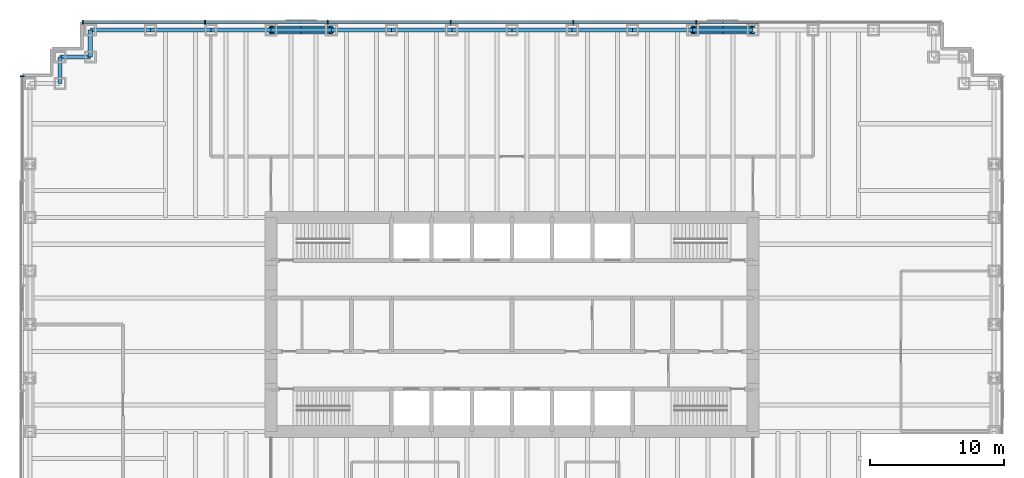
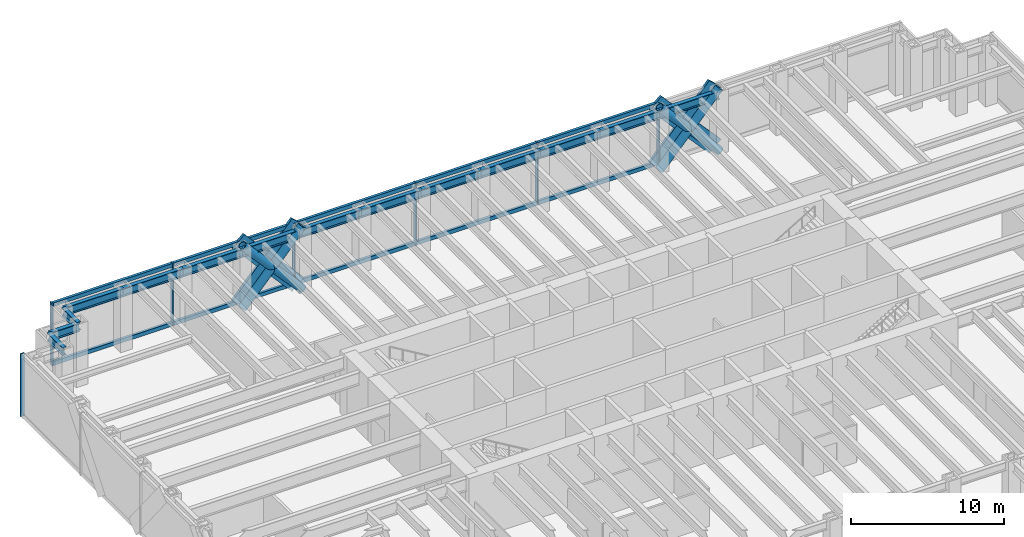
# One storey, part 9 of 17: 25 members, 14 beams, 2 elements without a shape of their own.
"""IFC4 building model written with IfcOpenShell, lengths in metres."""

from ifc_helpers import new_model, si_unit, direction, frame, origin, origin_2d, place, context, subcontext, project, spatial, rectangle, hollow_circle, i_section, extrude, material, material_profile, profile_set, type_object, element, aggregate, save


model = new_model("IFC4")

# Units and contexts
model_context = context("Model", 3, precision=1e-05, world=origin(), true_north=direction((0.0, 1.0)))
body_context = subcontext(model_context, "Body", "Model", "MODEL_VIEW")
ifc_project = project(units=[si_unit("LENGTHUNIT", "METRE"), si_unit("AREAUNIT", "SQUARE_METRE"), si_unit("VOLUMEUNIT", "CUBIC_METRE"), si_unit("PLANEANGLEUNIT", "RADIAN"), si_unit("MASSUNIT", "GRAM", prefix="KILO")], contexts=[model_context])

# Site, building, storey
site_placement = place(None, origin())
site = spatial("IfcSite", under=ifc_project, at=site_placement, CompositionType="ELEMENT")
building_placement = place(site_placement, origin())
building = spatial("IfcBuilding", under=site, at=building_placement, Name="Rheinbord Bourse Tower", CompositionType="ELEMENT")
storey_placement = place(building_placement, frame((0.0, 0.0, 13.0)))
storey = spatial("IfcBuildingStorey", under=building, at=storey_placement, Name="L02", CompositionType="ELEMENT", Elevation=13.0)

# Curtain wall, members
ifc_material_1 = material(Name="Dark glass and black aluminium", Category="aluminium")
curtain_wall_type = type_object("IfcCurtainWallType", Name="CW4 DARK GLASS CURTAIN WALL", PredefinedType="USERDEFINED", material=ifc_material_1)
curtain_wall_1_placement = place(storey_placement, origin())
curtain_wall_1 = element("IfcCurtainWall", 1, at=curtain_wall_1_placement, inside=storey, type_object=curtain_wall_type, Name="Curtain wall CW4 N L02", ObjectType="UNITISED CURTAIN WALL", PredefinedType="USERDEFINED")
ifc_material_2 = material(Name="Black anodised aluminium", Category="aluminium")
ifc_material_profile_1 = material_profile(ifc_material_2, rectangle(XDim=0.199951171875, YDim=1.2099609375, at=origin_2d()), Name="CW4 DIAGONAL MULLION 1210x200")
ifc_profile_set_1 = profile_set([ifc_material_profile_1], Name="Black anodised aluminium")
member_type_1 = type_object("IfcMemberType", Name="CW4 BLACK DIAGONAL MULLION", PredefinedType="USERDEFINED", material=ifc_profile_set_1)
member_1_placement = place(storey_placement, frame((18.0, 46.60009765625, 0.0), z_axis=(0.668964731622, 0.0, 0.743294146247), x_axis=(0.0, 1.0, 0.0)))
member_1 = element("IfcMember", 2, at=member_1_placement, type_object=member_type_1, Name="CW4 diagonal mullion a", ObjectType="DIAGONAL MULLION", PredefinedType="USERDEFINED", context=body_context, shape_type="SweptSolid", body=[
    extrude(rectangle(XDim=0.199951171875, YDim=1.2099609375, at=origin_2d()), origin(), (0.0, 0.0, 1.0), 6.726806640625),
])
member_2_placement = place(storey_placement, frame((54.0, 46.60009765625, 0.0), z_axis=(-0.668964731622, 0.0, 0.743294146247), x_axis=(0.0, -1.0, 0.0)))
member_2 = element("IfcMember", 3, at=member_2_placement, type_object=member_type_1, Name="CW4 diagonal mullion b", ObjectType="DIAGONAL MULLION", PredefinedType="USERDEFINED", context=body_context, shape_type="SweptSolid", body=[
    extrude(rectangle(XDim=0.199951171875, YDim=1.2099609375, at=origin_2d()), origin(), (0.0, 0.0, 1.0), 6.726806640625),
])
member_3_placement = place(storey_placement, frame((49.5, 46.60009765625, 0.0), z_axis=(0.668964731622, 0.0, 0.743294146247), x_axis=(0.0, 1.0, 0.0)))
member_3 = element("IfcMember", 4, at=member_3_placement, type_object=member_type_1, Name="CW4 diagonal mullion c", ObjectType="DIAGONAL MULLION", PredefinedType="USERDEFINED", context=body_context, shape_type="SweptSolid", body=[
    extrude(rectangle(XDim=0.199951171875, YDim=1.2099609375, at=origin_2d()), origin(), (0.0, 0.0, 1.0), 6.726806640625),
])
member_4_placement = place(storey_placement, frame((22.5, 46.60009765625, 0.0), z_axis=(-0.668964731622, 0.0, 0.743294146247), x_axis=(0.0, -1.0, 0.0)))
member_4 = element("IfcMember", 5, at=member_4_placement, type_object=member_type_1, Name="CW4 diagonal mullion d", ObjectType="DIAGONAL MULLION", PredefinedType="USERDEFINED", context=body_context, shape_type="SweptSolid", body=[
    extrude(rectangle(XDim=0.199951171875, YDim=1.2099609375, at=origin_2d()), origin(), (0.0, 0.0, 1.0), 6.726806640625),
])
ifc_material_3 = material(Name="Black anodised aluminium", Category="aluminium")
ifc_material_profile_2 = material_profile(ifc_material_3, rectangle(XDim=0.300048828125, YDim=0.090087890625, at=origin_2d()), Name="CW4 MULLION 90x300")
ifc_profile_set_2 = profile_set([ifc_material_profile_2], Name="Black anodised aluminium")
member_type_2 = type_object("IfcMemberType", Name="CW4 BLACK MULLION", PredefinedType="MULLION", material=ifc_profile_set_2)
member_5_placement = place(storey_placement, frame((49.757080078125, 46.60009765625, 0.0), z_axis=(0.0, 0.0, 1.0), x_axis=(0.0, -1.0, 0.0)))
member_5 = element("IfcMember", 6, at=member_5_placement, type_object=member_type_2, Name="CW4 mullion 3", PredefinedType="MULLION", context=body_context, shape_type="SweptSolid", body=[
    extrude(rectangle(XDim=0.300048828125, YDim=0.090087890625, at=origin_2d()), origin(), (0.0, 0.0, 1.0), 5.0),
])
member_6_placement = place(storey_placement, frame((40.585693359375, 46.60009765625, 0.0), z_axis=(0.0, 0.0, 1.0), x_axis=(0.0, -1.0, 0.0)))
member_6 = element("IfcMember", 7, at=member_6_placement, type_object=member_type_2, Name="CW4 mullion 4", PredefinedType="MULLION", context=body_context, shape_type="SweptSolid", body=[
    extrude(rectangle(XDim=0.300048828125, YDim=0.090087890625, at=origin_2d()), origin(), (0.0, 0.0, 1.0), 5.0),
])
member_7_placement = place(storey_placement, frame((31.414306640625, 46.60009765625, 0.0), z_axis=(0.0, 0.0, 1.0), x_axis=(0.0, -1.0, 0.0)))
member_7 = element("IfcMember", 8, at=member_7_placement, type_object=member_type_2, Name="CW4 mullion 5", PredefinedType="MULLION", context=body_context, shape_type="SweptSolid", body=[
    extrude(rectangle(XDim=0.300048828125, YDim=0.090087890625, at=origin_2d()), origin(), (0.0, 0.0, 1.0), 5.0),
])
member_8_placement = place(storey_placement, frame((22.242919921875, 46.60009765625, 0.0), z_axis=(0.0, 0.0, 1.0), x_axis=(0.0, -1.0, 0.0)))
member_8 = element("IfcMember", 9, at=member_8_placement, type_object=member_type_2, Name="CW4 mullion 6", PredefinedType="MULLION", context=body_context, shape_type="SweptSolid", body=[
    extrude(rectangle(XDim=0.300048828125, YDim=0.090087890625, at=origin_2d()), origin(), (0.0, 0.0, 1.0), 5.0),
])
member_9_placement = place(storey_placement, frame((13.071533203125, 46.60009765625, 0.0), z_axis=(0.0, 0.0, 1.0), x_axis=(0.0, -1.0, 0.0)))
member_9 = element("IfcMember", 10, at=member_9_placement, type_object=member_type_2, Name="CW4 mullion 7", PredefinedType="MULLION", context=body_context, shape_type="SweptSolid", body=[
    extrude(rectangle(XDim=0.300048828125, YDim=0.090087890625, at=origin_2d()), origin(), (0.0, 0.0, 1.0), 5.0),
])
member_10_placement = place(storey_placement, frame((3.945068359375, 46.60009765625, 0.0), z_axis=(0.0, 0.0, 1.0), x_axis=(0.0, -1.0, 0.0)))
member_10 = element("IfcMember", 11, at=member_10_placement, type_object=member_type_2, Name="CW4 mullion 8", PredefinedType="MULLION", context=body_context, shape_type="SweptSolid", body=[
    extrude(rectangle(XDim=0.300048828125, YDim=0.090087890625, at=origin_2d()), origin(), (0.0, 0.0, 1.0), 5.0),
])

# Curtain wall, member
curtain_wall_2_placement = place(storey_placement, origin())
curtain_wall_2 = element("IfcCurtainWall", 12, at=curtain_wall_2_placement, inside=storey, type_object=curtain_wall_type, Name="Curtain wall CW4 W L02", ObjectType="UNITISED CURTAIN WALL", PredefinedType="USERDEFINED")
member_11_placement = place(storey_placement, frame((-0.60009765625, 42.554931640625, 0.0), z_axis=(0.0, 0.0, 1.0), x_axis=(1.0, 0.0, 0.0)))
member_11 = element("IfcMember", 13, at=member_11_placement, type_object=member_type_2, Name="CW4 mullion 1", PredefinedType="MULLION", context=body_context, shape_type="SweptSolid", body=[
    extrude(rectangle(XDim=0.300048828125, YDim=0.090087890625, at=origin_2d()), origin(), (0.0, 0.0, 1.0), 5.0),
])
aggregate(curtain_wall_2, [member_11])

# Member
ifc_material_4 = material(Name="Black anodised aluminium", Category="aluminium")
ifc_material_profile_3 = material_profile(ifc_material_4, rectangle(XDim=0.199951171875, YDim=0.300048828125, at=origin_2d()), Name="CW4 TRANSOM 300x200")
ifc_profile_set_3 = profile_set([ifc_material_profile_3], Name="Black anodised aluminium")
member_type_3 = type_object("IfcMemberType", Name="CW4 BLACK TRANSOM", PredefinedType="USERDEFINED", material=ifc_profile_set_3)
member_12_placement = place(storey_placement, frame((49.712158203125, 46.60009765625, 0.14990234375), z_axis=(-1.0, 0.0, 0.0), x_axis=(0.0, -1.0, 0.0)))
member_12 = element("IfcMember", 14, at=member_12_placement, type_object=member_type_3, Name="CW4 transom 3.1", ObjectType="TRANSOM", PredefinedType="USERDEFINED", context=body_context, shape_type="SweptSolid", body=[
    extrude(rectangle(XDim=0.199951171875, YDim=0.300048828125, at=origin_2d()), origin(), (0.0, 0.0, 1.0), 9.08154296875),
])

member_13_placement = place(storey_placement, frame((49.712158203125, 46.60009765625, 4.85009765625), z_axis=(-1.0, 0.0, 0.0), x_axis=(0.0, -1.0, 0.0)))
member_13 = element("IfcMember", 15, at=member_13_placement, type_object=member_type_3, Name="CW4 transom 3.2", ObjectType="TRANSOM", PredefinedType="USERDEFINED", context=body_context, shape_type="SweptSolid", body=[
    extrude(rectangle(XDim=0.199951171875, YDim=0.300048828125, at=origin_2d()), origin(), (0.0, 0.0, 1.0), 9.08154296875),
])

member_14_placement = place(storey_placement, frame((40.540771484375, 46.60009765625, 0.14990234375), z_axis=(-1.0, 0.0, 0.0), x_axis=(0.0, -1.0, 0.0)))
member_14 = element("IfcMember", 16, at=member_14_placement, type_object=member_type_3, Name="CW4 transom 4.1", ObjectType="TRANSOM", PredefinedType="USERDEFINED", context=body_context, shape_type="SweptSolid", body=[
    extrude(rectangle(XDim=0.199951171875, YDim=0.300048828125, at=origin_2d()), origin(), (0.0, 0.0, 1.0), 9.08154296875),
])

member_15_placement = place(storey_placement, frame((40.540771484375, 46.60009765625, 4.85009765625), z_axis=(-1.0, 0.0, 0.0), x_axis=(0.0, -1.0, 0.0)))
member_15 = element("IfcMember", 17, at=member_15_placement, type_object=member_type_3, Name="CW4 transom 4.2", ObjectType="TRANSOM", PredefinedType="USERDEFINED", context=body_context, shape_type="SweptSolid", body=[
    extrude(rectangle(XDim=0.199951171875, YDim=0.300048828125, at=origin_2d()), origin(), (0.0, 0.0, 1.0), 9.08154296875),
])

member_16_placement = place(storey_placement, frame((31.369384765625, 46.60009765625, 0.14990234375), z_axis=(-1.0, 0.0, 0.0), x_axis=(0.0, -1.0, 0.0)))
member_16 = element("IfcMember", 18, at=member_16_placement, type_object=member_type_3, Name="CW4 transom 5.1", ObjectType="TRANSOM", PredefinedType="USERDEFINED", context=body_context, shape_type="SweptSolid", body=[
    extrude(rectangle(XDim=0.199951171875, YDim=0.300048828125, at=origin_2d()), origin(), (0.0, 0.0, 1.0), 9.08154296875),
])

member_17_placement = place(storey_placement, frame((31.369384765625, 46.60009765625, 4.85009765625), z_axis=(-1.0, 0.0, 0.0), x_axis=(0.0, -1.0, 0.0)))
member_17 = element("IfcMember", 19, at=member_17_placement, type_object=member_type_3, Name="CW4 transom 5.2", ObjectType="TRANSOM", PredefinedType="USERDEFINED", context=body_context, shape_type="SweptSolid", body=[
    extrude(rectangle(XDim=0.199951171875, YDim=0.300048828125, at=origin_2d()), origin(), (0.0, 0.0, 1.0), 9.08154296875),
])

member_18_placement = place(storey_placement, frame((22.19775390625, 46.60009765625, 0.14990234375), z_axis=(-1.0, 0.0, 0.0), x_axis=(0.0, -1.0, 0.0)))
member_18 = element("IfcMember", 20, at=member_18_placement, type_object=member_type_3, Name="CW4 transom 6.1", ObjectType="TRANSOM", PredefinedType="USERDEFINED", context=body_context, shape_type="SweptSolid", body=[
    extrude(rectangle(XDim=0.199951171875, YDim=0.300048828125, at=origin_2d()), origin(), (0.0, 0.0, 1.0), 9.081298828125),
])

member_19_placement = place(storey_placement, frame((22.19775390625, 46.60009765625, 4.85009765625), z_axis=(-1.0, 0.0, 0.0), x_axis=(0.0, -1.0, 0.0)))
member_19 = element("IfcMember", 21, at=member_19_placement, type_object=member_type_3, Name="CW4 transom 6.2", ObjectType="TRANSOM", PredefinedType="USERDEFINED", context=body_context, shape_type="SweptSolid", body=[
    extrude(rectangle(XDim=0.199951171875, YDim=0.300048828125, at=origin_2d()), origin(), (0.0, 0.0, 1.0), 9.081298828125),
])

member_20_placement = place(storey_placement, frame((13.0263671875, 46.60009765625, 0.14990234375), z_axis=(-1.0, 0.0, 0.0), x_axis=(0.0, -1.0, 0.0)))
member_20 = element("IfcMember", 22, at=member_20_placement, type_object=member_type_3, Name="CW4 transom 7.1", ObjectType="TRANSOM", PredefinedType="USERDEFINED", context=body_context, shape_type="SweptSolid", body=[
    extrude(rectangle(XDim=0.199951171875, YDim=0.300048828125, at=origin_2d()), origin(), (0.0, 0.0, 1.0), 9.036376953125),
])

member_21_placement = place(storey_placement, frame((13.0263671875, 46.60009765625, 4.85009765625), z_axis=(-1.0, 0.0, 0.0), x_axis=(0.0, -1.0, 0.0)))
member_21 = element("IfcMember", 23, at=member_21_placement, type_object=member_type_3, Name="CW4 transom 7.2", ObjectType="TRANSOM", PredefinedType="USERDEFINED", context=body_context, shape_type="SweptSolid", body=[
    extrude(rectangle(XDim=0.199951171875, YDim=0.300048828125, at=origin_2d()), origin(), (0.0, 0.0, 1.0), 9.036376953125),
])

aggregate(curtain_wall_1, [member_5, member_6, member_7, member_8, member_9, member_10, member_12, member_13, member_14, member_15, member_16, member_17, member_18, member_19, member_20, member_21, member_1, member_2, member_3, member_4])

# Members
ifc_material_5 = material(Name="Steel S460", Category="steel")
ifc_material_profile_4 = material_profile(ifc_material_5, hollow_circle(Radius=0.304931640625, WallThickness=0.050048828125, at=origin_2d()), Name="CHS 610x50")
ifc_profile_set_4 = profile_set([ifc_material_profile_4], Name="Steel S460")
member_type_4 = type_object("IfcMemberType", Name="MEGABRACE CHS 610x50", PredefinedType="BRACE", material=ifc_profile_set_4)
for number, where, z_axis, x_axis, name in (
    (24, (18.0, 46.0, 0.0), (0.668964731622, 0.0, 0.743294146247), (0.0, 1.0, 0.0), "Megabrace N face line a L02"),
    (25, (54.0, 46.0, 0.0), (-0.668964731622, 0.0, 0.743294146247), (0.0, -1.0, 0.0), "Megabrace N face line b L02"),
    (26, (49.5, 46.0, 0.0), (0.668964731622, 0.0, 0.743294146247), (0.0, 1.0, 0.0), "Megabrace N face line c L02"),
    (27, (22.5, 46.0, 0.0), (-0.668964731622, 0.0, 0.743294146247), (0.0, -1.0, 0.0), "Megabrace N face line d L02"),
):
    element("IfcMember", number, at=place(storey_placement, frame(where, z_axis=z_axis, x_axis=x_axis)), inside=storey, type_object=member_type_4, Name=name, PredefinedType="BRACE", context=body_context, shape_type="SweptSolid", body=[
        extrude(hollow_circle(Radius=0.304931640625, WallThickness=0.050048828125, at=origin_2d()), origin(), (0.0, 0.0, 1.0), 6.726806640625),
    ])

# Beams
ifc_material_6 = material(Name="Steel S460", Category="steel")
ifc_material_profile_5 = material_profile(ifc_material_6, i_section(OverallWidth=0.304931640625, OverallDepth=0.66796875, WebThickness=0.02099609375, FlangeThickness=0.0400390625, at=origin_2d()), Name="HEM 650")
ifc_profile_set_5 = profile_set([ifc_material_profile_5], Name="Steel S460")
beam_type = type_object("IfcBeamType", Name="SPANDREL HEM 650", PredefinedType="SPANDREL", material=ifc_profile_set_5)
for number, where, z_axis, x_axis, name in (
    (28, (54.0, 46.0, 4.486083984375), (-1.0, 0.0, 0.0), (0.0, -1.0, 0.0), "Spandrel N-54-N-49.5 under L03"),
    (29, (49.5, 46.0, 4.486083984375), (-1.0, 0.0, 0.0), (0.0, -1.0, 0.0), "Spandrel N-49.5-N-45 under L03"),
    (30, (45.0, 46.0, 4.486083984375), (-1.0, 0.0, 0.0), (0.0, -1.0, 0.0), "Spandrel N-45-N-40.5 under L03"),
    (31, (40.5, 46.0, 4.486083984375), (-1.0, 0.0, 0.0), (0.0, -1.0, 0.0), "Spandrel N-40.5-N-36 under L03"),
    (32, (36.0, 46.0, 4.486083984375), (-1.0, 0.0, 0.0), (0.0, -1.0, 0.0), "Spandrel N-36-N-31.5 under L03"),
    (33, (31.5, 46.0, 4.486083984375), (-1.0, 0.0, 0.0), (0.0, -1.0, 0.0), "Spandrel N-31.5-N-27 under L03"),
    (34, (27.0, 46.0, 4.486083984375), (-1.0, 0.0, 0.0), (0.0, -1.0, 0.0), "Spandrel N-27-N-22.5 under L03"),
    (35, (22.5, 46.0, 4.486083984375), (-1.0, 0.0, 0.0), (0.0, -1.0, 0.0), "Spandrel N-22.5-N-18 under L03"),
    (36, (18.0, 46.0, 4.486083984375), (-1.0, 0.0, 0.0), (0.0, -1.0, 0.0), "Spandrel N-18-N-13.5 under L03"),
    (37, (13.5, 46.0, 4.486083984375), (-1.0, 0.0, 0.0), (0.0, -1.0, 0.0), "Spandrel N-13.5-N-9 under L03"),
    (38, (9.0, 46.0, 4.486083984375), (-1.0, 0.0, 0.0), (0.0, -1.0, 0.0), "Spandrel N-9-NW-E under L03"),
):
    element("IfcBeam", number, at=place(storey_placement, frame(where, z_axis=z_axis, x_axis=x_axis)), inside=storey, type_object=beam_type, Name=name, PredefinedType="SPANDREL", context=body_context, shape_type="SweptSolid", body=[
        extrude(i_section(OverallWidth=0.304931640625, OverallDepth=0.66796875, WebThickness=0.02099609375, FlangeThickness=0.0400390625, at=origin_2d()), origin(), (0.0, 0.0, 1.0), 4.5),
    ])
beam_1_placement = place(storey_placement, frame((4.5, 46.0, 4.486083984375), z_axis=(0.0, -1.0, 0.0), x_axis=(1.0, 0.0, 0.0)))
element("IfcBeam", 39, at=beam_1_placement, inside=storey, type_object=beam_type, Name="Spandrel NW-E-NW-D under L03", PredefinedType="SPANDREL", context=body_context, shape_type="SweptSolid", body=[
    extrude(i_section(OverallWidth=0.304931640625, OverallDepth=0.66796875, WebThickness=0.02099609375, FlangeThickness=0.0400390625, at=origin_2d()), origin(), (0.0, 0.0, 1.0), 2.0),
])
beam_2_placement = place(storey_placement, frame((4.5, 44.0, 4.486083984375), z_axis=(-1.0, 0.0, 0.0), x_axis=(0.0, -1.0, 0.0)))
element("IfcBeam", 40, at=beam_2_placement, inside=storey, type_object=beam_type, Name="Spandrel NW-D-NW-C under L03", PredefinedType="SPANDREL", context=body_context, shape_type="SweptSolid", body=[
    extrude(i_section(OverallWidth=0.304931640625, OverallDepth=0.66796875, WebThickness=0.02099609375, FlangeThickness=0.0400390625, at=origin_2d()), origin(), (0.0, 0.0, 1.0), 2.25),
])
beam_3_placement = place(storey_placement, frame((2.25, 44.0, 4.486083984375), z_axis=(0.0, -1.0, 0.0), x_axis=(1.0, 0.0, 0.0)))
element("IfcBeam", 41, at=beam_3_placement, inside=storey, type_object=beam_type, Name="Spandrel NW-C-NW-B under L03", PredefinedType="SPANDREL", context=body_context, shape_type="SweptSolid", body=[
    extrude(i_section(OverallWidth=0.304931640625, OverallDepth=0.66796875, WebThickness=0.02099609375, FlangeThickness=0.0400390625, at=origin_2d()), origin(), (0.0, 0.0, 1.0), 2.0),
])

save(model, "model.ifc")
